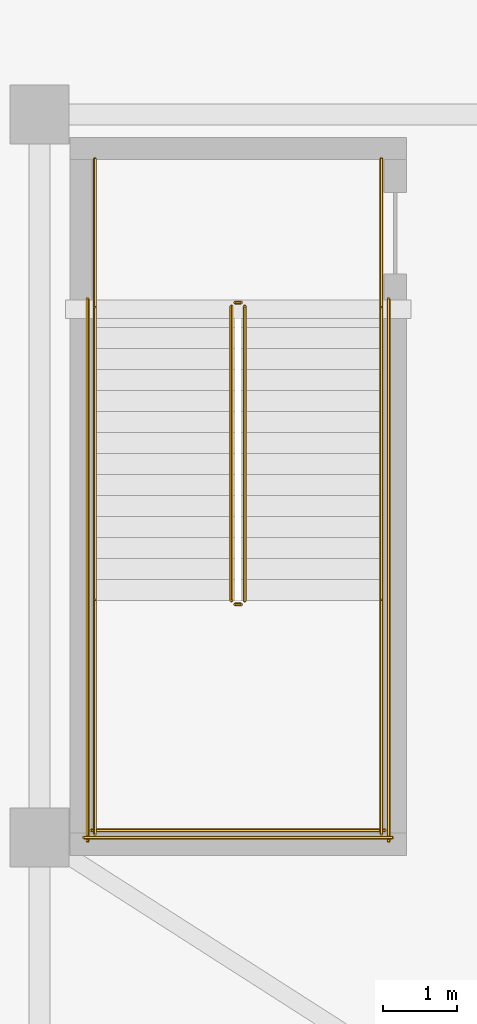
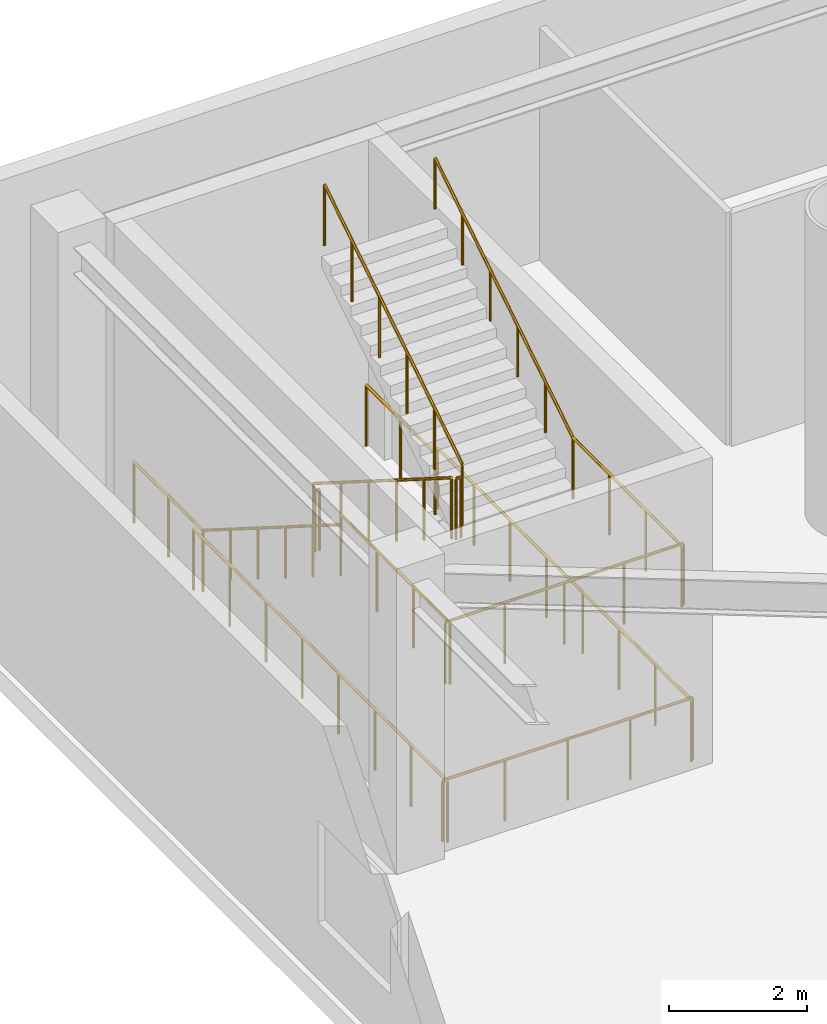
# One storey, part 14 of 16: 14 railings.
"""IFC4 building model written with IfcOpenShell, lengths in metres."""

import ifcopenshell
import ifcopenshell.guid

model = None  # the IFC model being written
_history = None  # IfcOwnerHistory: only IFC2X3 demands one
_inside = {}  # id of a spatial element -> (the spatial element, [elements in it])
_under = {}  # id of a project, library or spatial element -> (it, [spatial elements below it])
_declared = {}  # id of a project -> (the project, [libraries it declares])
_typed = {}  # id of a type object -> (the type object, [elements of that type])
_made_of = {}  # id of a material, layer set ... -> (it, [elements and type objects made of it])


def new_model(schema):
    """Start an empty IFC model of exactly this schema.

    Asked for "IFC4X3", IfcOpenShell would pick the latest addendum, in which some entities
    have other attributes; the version numbers below select the first issue.
    IFC2X3 requires an IfcOwnerHistory on every rooted entity: one is made here for all.
    """
    global model, _history
    if schema == "IFC4X3":
        model = ifcopenshell.file(schema_version=(4, 3, 0, 0))
    else:
        model = ifcopenshell.file(schema=schema)
    _inside.clear()
    _under.clear()
    _declared.clear()
    _typed.clear()
    _made_of.clear()
    _history = None
    if model.schema == "IFC2X3":
        org = make("IfcOrganization", Name="unknown")
        user = make(
            "IfcPersonAndOrganization",
            ThePerson=make("IfcPerson", FamilyName="unknown"),
            TheOrganization=org,
        )
        app = make(
            "IfcApplication",
            ApplicationDeveloper=org,
            Version="unknown",
            ApplicationFullName="unknown",
            ApplicationIdentifier="unknown",
        )
        _history = make(
            "IfcOwnerHistory",
            OwningUser=user,
            OwningApplication=app,
            ChangeAction="ADDED",
            CreationDate=0,
        )
    return model


def make(cls, **values):
    """One entity of the class cls with the attributes given. An attribute that is None is left unset."""
    return model.create_entity(
        cls, **{name: value for name, value in values.items() if value is not None}
    )


def rooted(cls, **values):
    """An entity with a GlobalId (a new one), such as an element, a storey or a relation."""
    return make(cls, GlobalId=ifcopenshell.guid.new(), OwnerHistory=_history, **values)


def si_unit(unit_type, name, prefix=None):
    """IfcSIUnit, for example si_unit("LENGTHUNIT", "METRE", prefix="MILLI")."""
    return make("IfcSIUnit", UnitType=unit_type, Prefix=prefix, Name=name)


def assignment(units):
    """IfcUnitAssignment: the units of a project."""
    return None if units is None else make("IfcUnitAssignment", Units=units)


def point(xyz):
    """IfcCartesianPoint."""
    return None if xyz is None else make("IfcCartesianPoint", Coordinates=xyz)


def direction(xyz):
    """IfcDirection."""
    return None if xyz is None else make("IfcDirection", DirectionRatios=xyz)


def frame(location, z_axis=None, x_axis=None):
    """IfcAxis2Placement3D, a coordinate frame: its origin and axes. An axis left out is left unset."""
    return make(
        "IfcAxis2Placement3D",
        Location=point(location),
        Axis=direction(z_axis),
        RefDirection=direction(x_axis),
    )


def frame_2d(location, x_axis=None):
    """IfcAxis2Placement2D, a coordinate frame in the plane: its origin and x axis."""
    return make(
        "IfcAxis2Placement2D", Location=point(location), RefDirection=direction(x_axis)
    )


def origin():
    """The frame at (0, 0, 0) with its axes left unset."""
    return frame((0.0, 0.0, 0.0))


def origin_2d():
    """The frame at (0, 0) in the plane with its x axis left unset."""
    return frame_2d((0.0, 0.0))


def place(relative_to, where):
    """IfcLocalPlacement: puts the frame where relative to a parent placement (None: the world)."""
    return make(
        "IfcLocalPlacement", PlacementRelTo=relative_to, RelativePlacement=where
    )


def context(
    kind, dimensions, precision=None, world=None, true_north=None, identifier=None
):
    """IfcGeometricRepresentationContext, for example the 3D "Model" context."""
    return make(
        "IfcGeometricRepresentationContext",
        ContextIdentifier=identifier,
        ContextType=kind,
        CoordinateSpaceDimension=dimensions,
        Precision=precision,
        WorldCoordinateSystem=world,
        TrueNorth=true_north,
    )


def subcontext(parent, identifier, kind, view, scale=None):
    """IfcGeometricRepresentationSubContext, for example "Body" below "Model"."""
    return make(
        "IfcGeometricRepresentationSubContext",
        ContextIdentifier=identifier,
        ContextType=kind,
        ParentContext=parent,
        TargetScale=scale,
        TargetView=view,
    )


def project(units=None, contexts=None):
    """IfcProject with its units and contexts."""
    return rooted(
        "IfcProject",
        Name="project",
        RepresentationContexts=contexts,
        UnitsInContext=assignment(units),
    )


def spatial(cls, under=None, at=None, **own):
    """A site, building, storey or space (cls), placed at a placement, below another one or the project."""
    s = rooted(cls, ObjectPlacement=at, **own)
    if under is not None:
        _under.setdefault(under.id(), (under, []))[1].append(s)
    return s


def profile(cls, at=None, kind="AREA", **sizes):
    """A parametric profile (cls). Its sizes go by their IFC names, for example OverallWidth=200.0."""
    return make(cls, ProfileType=kind, Position=at, **sizes)


def circle(**sizes):
    """IfcCircleProfileDef."""
    return profile("IfcCircleProfileDef", **sizes)


def extrude(swept, where, along, depth):
    """IfcExtrudedAreaSolid: the profile swept, set in the frame where, extruded along a direction by depth."""
    return make(
        "IfcExtrudedAreaSolid",
        SweptArea=swept,
        Position=where,
        ExtrudedDirection=direction(along),
        Depth=depth,
    )


def shape(context_of_items, identifier, shape_type, items):
    """IfcShapeRepresentation: the items that make up one representation, for example the "Body"."""
    return make(
        "IfcShapeRepresentation",
        ContextOfItems=context_of_items,
        RepresentationIdentifier=identifier,
        RepresentationType=shape_type,
        Items=items,
    )


def material(Name=None, Category=None):
    """IfcMaterial."""
    return make("IfcMaterial", Name=Name, Category=Category)


def made_of(thing, what):
    """Note that an element or type object is made of a material, layer set ...; save() writes the relation."""
    if what is not None:
        _made_of.setdefault(what.id(), (what, []))[1].append(thing)
    return thing


def type_object(cls, material=None, **own):
    """A type object (cls), such as IfcWallType, which elements share."""
    return made_of(rooted(cls, **own), material)


def element(
    cls,
    number,
    at=None,
    inside=None,
    cuts=None,
    type_object=None,
    material=None,
    context=None,
    identifier="Body",
    shape_type=None,
    held_by="IfcProductDefinitionShape",
    body=None,
    shapes=None,
    **own,
):
    """One element of the class cls, such as IfcWall. Its Tag is "e" and its number.

    at: its placement. inside: the storey or other place that contains it. cuts: it is an
    opening in that element (IfcRelVoidsElement). A single representation is given by context,
    identifier, shape_type and body (its items); several are given by shapes. held_by: the class
    of the entity that holds the representations. save() writes the other relations.
    """
    e = rooted(cls, Tag="e%d" % number, ObjectPlacement=at, **own)
    if body is not None:
        shapes = [shape(context, identifier, shape_type, body)]
    if shapes is not None:
        e.Representation = make(held_by, Representations=shapes)
    if inside is not None:
        _inside.setdefault(inside.id(), (inside, []))[1].append(e)
    if cuts is not None:
        rooted(
            "IfcRelVoidsElement", RelatingBuildingElement=cuts, RelatedOpeningElement=e
        )
    if type_object is not None:
        _typed.setdefault(type_object.id(), (type_object, []))[1].append(e)
    return made_of(e, material)


def aggregate(whole, parts):
    """IfcRelAggregates: a whole, such as a stair, and the parts it consists of."""
    return rooted("IfcRelAggregates", RelatingObject=whole, RelatedObjects=parts)


def save(model, path):
    """Write the relations noted so far, then the file.

    IfcRelAggregates (storeys below a building ...), IfcRelContainedInSpatialStructure (elements
    in a storey), IfcRelDefinesByType, IfcRelAssociatesMaterial and IfcRelDeclares: one each for
    every whole, place, type object, material and project.
    """
    for whole, parts in _under.values():
        aggregate(whole, parts)
    for where, things in _inside.values():
        rooted(
            "IfcRelContainedInSpatialStructure",
            RelatedElements=things,
            RelatingStructure=where,
        )
    for kind, things in _typed.values():
        rooted("IfcRelDefinesByType", RelatedObjects=things, RelatingType=kind)
    for what, things in _made_of.values():
        rooted("IfcRelAssociatesMaterial", RelatedObjects=things, RelatingMaterial=what)
    for by, libraries in _declared.values():
        rooted("IfcRelDeclares", RelatingContext=by, RelatedDefinitions=libraries)
    model.write(path)


model = new_model("IFC4")

# Units and contexts
model_context = context("Model", 3, precision=1e-05, world=origin(), true_north=direction((0.0, 1.0)))
body_context = subcontext(model_context, "Body", "Model", "MODEL_VIEW")
ifc_project = project(units=[si_unit("LENGTHUNIT", "METRE"), si_unit("AREAUNIT", "SQUARE_METRE"), si_unit("VOLUMEUNIT", "CUBIC_METRE"), si_unit("PLANEANGLEUNIT", "RADIAN"), si_unit("MASSUNIT", "GRAM", prefix="KILO")], contexts=[model_context])

# Site, building, storey
site_placement = place(None, origin())
site = spatial("IfcSite", under=ifc_project, at=site_placement, CompositionType="ELEMENT")
building_placement = place(site_placement, origin())
building = spatial("IfcBuilding", under=site, at=building_placement, Name="Bramvorn Convention Spire", CompositionType="ELEMENT")
storey_placement = place(building_placement, frame((0.0, 0.0, 18.60009765625)))
storey = spatial("IfcBuildingStorey", under=building, at=storey_placement, Name="L03", CompositionType="ELEMENT", Elevation=18.60009765625)

# Railings
ifc_material_1 = material(Name="Painted Steel Balustrade & Guardrail", Category="steel")
railing_type_1 = type_object("IfcRailingType", Name="RL-STAIR-GUARD-1100", PredefinedType="GUARDRAIL", material=ifc_material_1)
railing_1_placement = place(storey_placement, frame((5.39990234375, 46.800048828125, 0.179931640625)))
element("IfcRailing", 1, at=railing_1_placement, inside=storey, type_object=railing_type_1, Name="L03 ST6 stair guard 1", PredefinedType="GUARDRAIL", context=body_context, shape_type="SweptSolid", body=[
    extrude(circle(Radius=0.02392578125, at=origin_2d()), frame((0.0, 0.0, 1.076171875), z_axis=(0.0, -0.845486444383, 0.533996884227), x_axis=(1.0, 0.0, 0.0)), (0.0, 0.0, 1.0), 4.71923828125),
    extrude(circle(Radius=0.02099609375, at=origin_2d()), origin(), (0.0, 0.0, 1.0), 1.052001953125),
    extrude(circle(Radius=0.02099609375, at=origin_2d()), frame((0.0, -0.798095703125, 0.50390625)), (0.0, 0.0, 1.0), 1.052001953125),
    extrude(circle(Radius=0.02099609375, at=origin_2d()), frame((0.0, -1.595947265625, 1.008056640625)), (0.0, 0.0, 1.0), 1.052001953125),
    extrude(circle(Radius=0.02099609375, at=origin_2d()), frame((0.0, -2.39404296875, 1.511962890625)), (0.0, 0.0, 1.0), 1.052001953125),
    extrude(circle(Radius=0.02099609375, at=origin_2d()), frame((0.0, -3.19189453125, 2.01611328125)), (0.0, 0.0, 1.0), 1.052001953125),
    extrude(circle(Radius=0.02099609375, at=origin_2d()), frame((0.0, -3.989990234375, 2.52001953125)), (0.0, 0.0, 1.0), 1.052001953125),
])
railing_2_placement = place(storey_placement, frame((5.449951171875, 42.760009765625, 2.699951171875)))
element("IfcRailing", 2, at=railing_2_placement, inside=storey, type_object=railing_type_1, Name="L03 ST6 stair guard 2", PredefinedType="GUARDRAIL", context=body_context, shape_type="SweptSolid", body=[
    extrude(circle(Radius=0.02392578125, at=origin_2d()), frame((0.0, 0.0, 1.076171875), z_axis=(1.0, 0.0, 0.0), x_axis=(0.0, 1.0, 0.0)), (0.0, 0.0, 1.0), 0.080078125),
    extrude(circle(Radius=0.02099609375, at=origin_2d()), origin(), (0.0, 0.0, 1.0), 1.052001953125),
    extrude(circle(Radius=0.02099609375, at=origin_2d()), frame((0.080078125, 0.0, 0.0)), (0.0, 0.0, 1.0), 1.052001953125),
])
for number, where, name in (
    (3, (3.550048828125, 42.81005859375, 2.699951171875), "L03 ST6 stair guard 3"),
    (4, (7.429931640625, 42.81005859375, 2.699951171875), "L03 ST6 stair guard 4"),
):
    element("IfcRailing", number, at=place(storey_placement, frame(where)), inside=storey, type_object=railing_type_1, Name=name, PredefinedType="GUARDRAIL", context=body_context, shape_type="SweptSolid", body=[
        extrude(circle(Radius=0.02392578125, at=origin_2d()), frame((0.0, 0.0, 1.076171875), z_axis=(0.0, -1.0, 0.0), x_axis=(1.0, 0.0, 0.0)), (0.0, 0.0, 1.0), 3.16015625),
        extrude(circle(Radius=0.02099609375, at=origin_2d()), origin(), (0.0, 0.0, 1.0), 1.052001953125),
        extrude(circle(Radius=0.02099609375, at=origin_2d()), frame((0.0, -1.053466796875, 0.0)), (0.0, 0.0, 1.0), 1.052001953125),
        extrude(circle(Radius=0.02099609375, at=origin_2d()), frame((0.0, -2.106689453125, 0.0)), (0.0, 0.0, 1.0), 1.052001953125),
        extrude(circle(Radius=0.02099609375, at=origin_2d()), frame((0.0, -3.16015625, 0.0)), (0.0, 0.0, 1.0), 1.052001953125),
    ])
railing_3_placement = place(storey_placement, frame((3.5, 39.699951171875, 2.699951171875)))
element("IfcRailing", 5, at=railing_3_placement, inside=storey, type_object=railing_type_1, Name="L03 ST6 stair guard 5", PredefinedType="GUARDRAIL", context=body_context, shape_type="SweptSolid", body=[
    extrude(circle(Radius=0.02392578125, at=origin_2d()), frame((0.0, 0.0, 1.076171875), z_axis=(1.0, 0.0, 0.0), x_axis=(0.0, 1.0, 0.0)), (0.0, 0.0, 1.0), 3.97998046875),
    extrude(circle(Radius=0.02099609375, at=origin_2d()), origin(), (0.0, 0.0, 1.0), 1.052001953125),
    extrude(circle(Radius=0.02099609375, at=origin_2d()), frame((0.9951171875, 0.0, 0.0)), (0.0, 0.0, 1.0), 1.052001953125),
    extrude(circle(Radius=0.02099609375, at=origin_2d()), frame((1.989990234375, 0.0, 0.0)), (0.0, 0.0, 1.0), 1.052001953125),
    extrude(circle(Radius=0.02099609375, at=origin_2d()), frame((2.98486328125, 0.0, 0.0)), (0.0, 0.0, 1.0), 1.052001953125),
    extrude(circle(Radius=0.02099609375, at=origin_2d()), frame((3.97998046875, 0.0, 0.0)), (0.0, 0.0, 1.0), 1.052001953125),
])
railing_4_placement = place(storey_placement, frame((5.580078125, 42.81005859375, 2.8798828125)))
element("IfcRailing", 6, at=railing_4_placement, inside=storey, type_object=railing_type_1, Name="L03 ST6 stair guard 6", PredefinedType="GUARDRAIL", context=body_context, shape_type="SweptSolid", body=[
    extrude(circle(Radius=0.02392578125, at=origin_2d()), frame((0.0, 0.0, 1.076171875), z_axis=(0.0, 0.845486444383, 0.533996884227), x_axis=(-1.0, 0.0, 0.0)), (0.0, 0.0, 1.0), 4.71923828125),
    extrude(circle(Radius=0.02099609375, at=origin_2d()), origin(), (0.0, 0.0, 1.0), 1.052001953125),
    extrude(circle(Radius=0.02099609375, at=origin_2d()), frame((0.0, 0.798095703125, 0.50390625)), (0.0, 0.0, 1.0), 1.052001953125),
    extrude(circle(Radius=0.02099609375, at=origin_2d()), frame((0.0, 1.595947265625, 1.008056640625)), (0.0, 0.0, 1.0), 1.052001953125),
    extrude(circle(Radius=0.02099609375, at=origin_2d()), frame((0.0, 2.39404296875, 1.511962890625)), (0.0, 0.0, 1.0), 1.052001953125),
    extrude(circle(Radius=0.02099609375, at=origin_2d()), frame((0.0, 3.19189453125, 2.01611328125)), (0.0, 0.0, 1.0), 1.052001953125),
    extrude(circle(Radius=0.02099609375, at=origin_2d()), frame((0.0, 3.989990234375, 2.52001953125)), (0.0, 0.0, 1.0), 1.052001953125),
])
railing_5_placement = place(storey_placement, frame((5.449951171875, 46.85009765625, 0.0)))
element("IfcRailing", 7, at=railing_5_placement, inside=storey, type_object=railing_type_1, Name="L03 ST6 stair guard 7", PredefinedType="GUARDRAIL", context=body_context, shape_type="SweptSolid", body=[
    extrude(circle(Radius=0.02392578125, at=origin_2d()), frame((0.0, 0.0, 1.076171875), z_axis=(1.0, 0.0, 0.0), x_axis=(0.0, 1.0, 0.0)), (0.0, 0.0, 1.0), 0.080078125),
    extrude(circle(Radius=0.02099609375, at=origin_2d()), origin(), (0.0, 0.0, 1.0), 1.052001953125),
    extrude(circle(Radius=0.02099609375, at=origin_2d()), frame((0.080078125, 0.0, 0.0)), (0.0, 0.0, 1.0), 1.052001953125),
])
for number, where, name in (
    (8, (3.550048828125, 48.800048828125, 0.0), "L03 ST6 stair guard 8"),
    (9, (7.429931640625, 48.800048828125, 0.0), "L03 ST6 stair guard 9"),
):
    element("IfcRailing", number, at=place(storey_placement, frame(where)), inside=storey, type_object=railing_type_1, Name=name, PredefinedType="GUARDRAIL", context=body_context, shape_type="SweptSolid", body=[
        extrude(circle(Radius=0.02392578125, at=origin_2d()), frame((0.0, 0.0, 1.076171875), z_axis=(0.0, -1.0, 0.0), x_axis=(1.0, 0.0, 0.0)), (0.0, 0.0, 1.0), 2.0),
        extrude(circle(Radius=0.02099609375, at=origin_2d()), origin(), (0.0, 0.0, 1.0), 1.052001953125),
        extrude(circle(Radius=0.02099609375, at=origin_2d()), frame((0.0, -1.0, 0.0)), (0.0, 0.0, 1.0), 1.052001953125),
        extrude(circle(Radius=0.02099609375, at=origin_2d()), frame((0.0, -2.0, 0.0)), (0.0, 0.0, 1.0), 1.052001953125),
    ])
for number, where, name in (
    (10, (3.449951171875, 46.89990234375, 0.0), "L03 ST6 stair guard 10"),
    (11, (7.530029296875, 46.89990234375, 0.0), "L03 ST6 stair guard 11"),
):
    element("IfcRailing", number, at=place(storey_placement, frame(where)), inside=storey, type_object=railing_type_1, Name=name, PredefinedType="GUARDRAIL", context=body_context, shape_type="SweptSolid", body=[
        extrude(circle(Radius=0.02392578125, at=origin_2d()), frame((0.0, 0.0, 1.076171875), z_axis=(0.0, -1.0, 0.0), x_axis=(1.0, 0.0, 0.0)), (0.0, 0.0, 1.0), 7.349853515625),
        extrude(circle(Radius=0.02099609375, at=origin_2d()), origin(), (0.0, 0.0, 1.0), 1.052001953125),
        extrude(circle(Radius=0.02099609375, at=origin_2d()), frame((0.0, -1.050048828125, 0.0)), (0.0, 0.0, 1.0), 1.052001953125),
        extrude(circle(Radius=0.02099609375, at=origin_2d()), frame((0.0, -2.099853515625, 0.0)), (0.0, 0.0, 1.0), 1.052001953125),
        extrude(circle(Radius=0.02099609375, at=origin_2d()), frame((0.0, -3.14990234375, 0.0)), (0.0, 0.0, 1.0), 1.052001953125),
        extrude(circle(Radius=0.02099609375, at=origin_2d()), frame((0.0, -4.199951171875, 0.0)), (0.0, 0.0, 1.0), 1.052001953125),
        extrude(circle(Radius=0.02099609375, at=origin_2d()), frame((0.0, -5.25, 0.0)), (0.0, 0.0, 1.0), 1.052001953125),
        extrude(circle(Radius=0.02099609375, at=origin_2d()), frame((0.0, -6.2998046875, 0.0)), (0.0, 0.0, 1.0), 1.052001953125),
        extrude(circle(Radius=0.02099609375, at=origin_2d()), frame((0.0, -7.349853515625, 0.0)), (0.0, 0.0, 1.0), 1.052001953125),
    ])
railing_6_placement = place(storey_placement, frame((3.39990234375, 39.60009765625, 0.0)))
element("IfcRailing", 12, at=railing_6_placement, inside=storey, type_object=railing_type_1, Name="L03 ST6 stair guard 12", PredefinedType="GUARDRAIL", context=body_context, shape_type="SweptSolid", body=[
    extrude(circle(Radius=0.02392578125, at=origin_2d()), frame((0.0, 0.0, 1.076171875), z_axis=(1.0, 0.0, 0.0), x_axis=(0.0, 1.0, 0.0)), (0.0, 0.0, 1.0), 4.18017578125),
    extrude(circle(Radius=0.02099609375, at=origin_2d()), origin(), (0.0, 0.0, 1.0), 1.052001953125),
    extrude(circle(Radius=0.02099609375, at=origin_2d()), frame((1.044921875, 0.0, 0.0)), (0.0, 0.0, 1.0), 1.052001953125),
    extrude(circle(Radius=0.02099609375, at=origin_2d()), frame((2.090087890625, 0.0, 0.0)), (0.0, 0.0, 1.0), 1.052001953125),
    extrude(circle(Radius=0.02099609375, at=origin_2d()), frame((3.13525390625, 0.0, 0.0)), (0.0, 0.0, 1.0), 1.052001953125),
    extrude(circle(Radius=0.02099609375, at=origin_2d()), frame((4.18017578125, 0.0, 0.0)), (0.0, 0.0, 1.0), 1.052001953125),
])
ifc_material_2 = material(Name="Brushed Bronze Tubular Handrail", Category="aluminium")
railing_type_2 = type_object("IfcRailingType", Name="RL-STAIR-HR-920", PredefinedType="HANDRAIL", material=ifc_material_2)
railing_7_placement = place(storey_placement, frame((3.550048828125, 46.800048828125, 0.179931640625)))
element("IfcRailing", 13, at=railing_7_placement, inside=storey, type_object=railing_type_2, Name="L03 ST6 stair handrail 1", PredefinedType="HANDRAIL", context=body_context, shape_type="SweptSolid", body=[
    extrude(circle(Radius=0.02392578125, at=origin_2d()), frame((0.0, 0.0, 0.89599609375), z_axis=(0.0, -0.845486444383, 0.533996884227), x_axis=(1.0, 0.0, 0.0)), (0.0, 0.0, 1.0), 4.71923828125),
    extrude(circle(Radius=0.02099609375, at=origin_2d()), origin(), (0.0, 0.0, 1.0), 0.871826171875),
    extrude(circle(Radius=0.02099609375, at=origin_2d()), frame((0.0, -0.798095703125, 0.50390625)), (0.0, 0.0, 1.0), 0.871826171875),
    extrude(circle(Radius=0.02099609375, at=origin_2d()), frame((0.0, -1.595947265625, 1.008056640625)), (0.0, 0.0, 1.0), 0.871826171875),
    extrude(circle(Radius=0.02099609375, at=origin_2d()), frame((0.0, -2.39404296875, 1.511962890625)), (0.0, 0.0, 1.0), 0.871826171875),
    extrude(circle(Radius=0.02099609375, at=origin_2d()), frame((0.0, -3.19189453125, 2.01611328125)), (0.0, 0.0, 1.0), 0.871826171875),
    extrude(circle(Radius=0.02099609375, at=origin_2d()), frame((0.0, -3.989990234375, 2.52001953125)), (0.0, 0.0, 1.0), 0.871826171875),
])
railing_8_placement = place(storey_placement, frame((7.429931640625, 42.81005859375, 2.8798828125)))
element("IfcRailing", 14, at=railing_8_placement, inside=storey, type_object=railing_type_2, Name="L03 ST6 stair handrail 2", PredefinedType="HANDRAIL", context=body_context, shape_type="SweptSolid", body=[
    extrude(circle(Radius=0.02392578125, at=origin_2d()), frame((0.0, 0.0, 0.89599609375), z_axis=(0.0, 0.845486444383, 0.533996884227), x_axis=(-1.0, 0.0, 0.0)), (0.0, 0.0, 1.0), 4.71923828125),
    extrude(circle(Radius=0.02099609375, at=origin_2d()), origin(), (0.0, 0.0, 1.0), 0.871826171875),
    extrude(circle(Radius=0.02099609375, at=origin_2d()), frame((0.0, 0.798095703125, 0.50390625)), (0.0, 0.0, 1.0), 0.871826171875),
    extrude(circle(Radius=0.02099609375, at=origin_2d()), frame((0.0, 1.595947265625, 1.008056640625)), (0.0, 0.0, 1.0), 0.871826171875),
    extrude(circle(Radius=0.02099609375, at=origin_2d()), frame((0.0, 2.39404296875, 1.511962890625)), (0.0, 0.0, 1.0), 0.871826171875),
    extrude(circle(Radius=0.02099609375, at=origin_2d()), frame((0.0, 3.19189453125, 2.01611328125)), (0.0, 0.0, 1.0), 0.871826171875),
    extrude(circle(Radius=0.02099609375, at=origin_2d()), frame((0.0, 3.989990234375, 2.52001953125)), (0.0, 0.0, 1.0), 0.871826171875),
])

save(model, "model.ifc")
